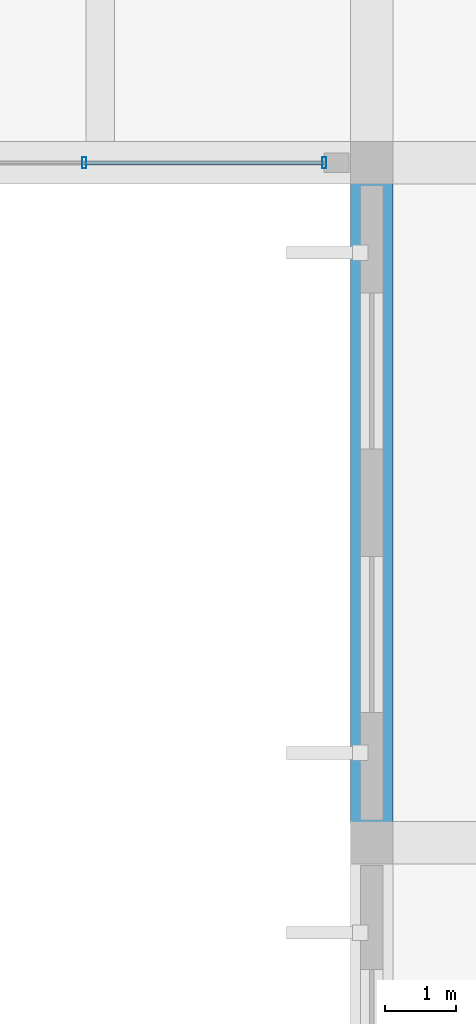
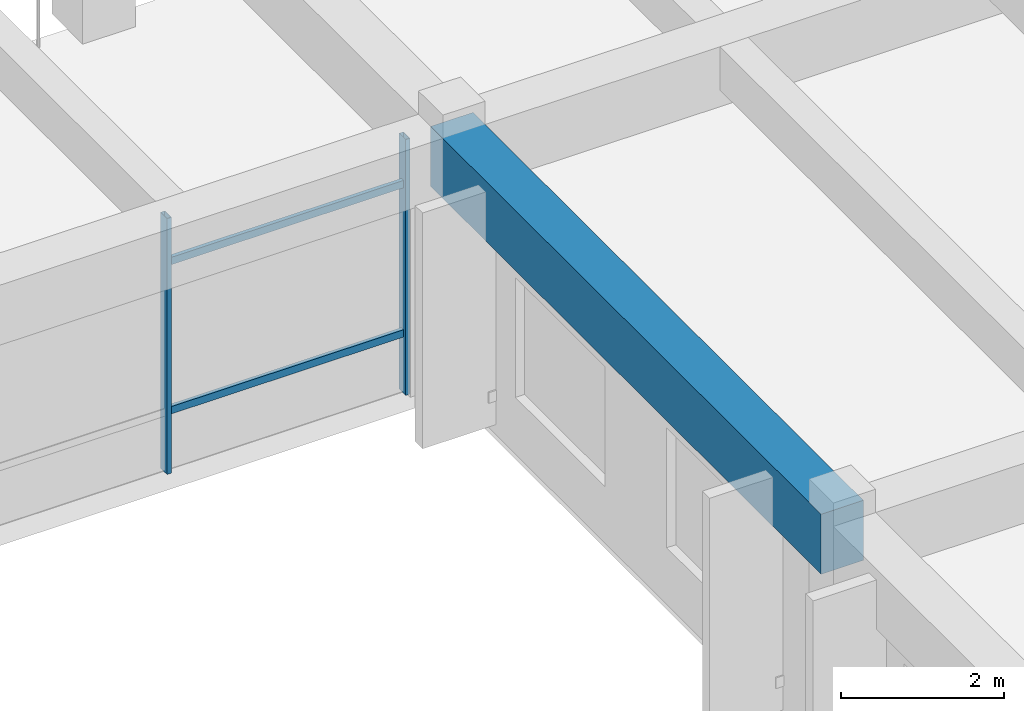
# One storey, part 51 of 98: 4 members, 1 beam, 1 element without a shape of its own.
"""IFC4 building model written with IfcOpenShell, lengths in metres."""

from ifc_helpers import new_model, si_unit, direction, frame, origin, origin_2d, place, context, subcontext, project, spatial, rectangle, hollow_rectangle, extrude, material, material_profile, profile_set, type_object, element, aggregate, save


model = new_model("IFC4")

# Units and contexts
model_context = context("Model", 3, precision=1e-05, world=origin(), true_north=direction((0.0, 1.0)))
body_context = subcontext(model_context, "Body", "Model", "MODEL_VIEW")
ifc_project = project(units=[si_unit("LENGTHUNIT", "METRE"), si_unit("AREAUNIT", "SQUARE_METRE"), si_unit("VOLUMEUNIT", "CUBIC_METRE"), si_unit("PLANEANGLEUNIT", "RADIAN"), si_unit("MASSUNIT", "GRAM", prefix="KILO")], contexts=[model_context])

# Site, building, storey
site_placement = place(None, origin())
site = spatial("IfcSite", under=ifc_project, at=site_placement, CompositionType="ELEMENT")
building_placement = place(site_placement, origin())
building = spatial("IfcBuilding", under=site, at=building_placement, Name="Ologun Quay Terminus", CompositionType="ELEMENT")
storey_placement = place(building_placement, frame((0.0, 0.0, 4.199951171875)))
storey = spatial("IfcBuildingStorey", under=building, at=storey_placement, Name="L01", CompositionType="ELEMENT", Elevation=4.199951171875)

# Curtain wall, members
ifc_material_1 = material(Name="Aluminium 6063-T6", Category="aluminium")
curtain_wall_type = type_object("IfcCurtainWallType", Name="Forecourt Mezzanine Curtain Wall 10700x3850", PredefinedType="USERDEFINED", material=ifc_material_1)
curtain_wall_placement = place(storey_placement, origin())
curtain_wall = element("IfcCurtainWall", 1, at=curtain_wall_placement, inside=storey, type_object=curtain_wall_type, Name="CW-04 Curtain Wall CW-L01-019", ObjectType="UNITISED CURTAIN WALL", PredefinedType="USERDEFINED")
ifc_material_2 = material(Name="Aluminium 6063-T6", Category="aluminium")
ifc_material_profile_1 = material_profile(ifc_material_2, hollow_rectangle(XDim=0.06005859375, YDim=0.159912109375, WallThickness=0.00390625, at=origin_2d()), Name="ALU 160x60x4")
ifc_profile_set_1 = profile_set([ifc_material_profile_1], Name="Aluminium 6063-T6")
member_type_1 = type_object("IfcMemberType", Name="Curtain Wall Standard Mullion 160x65", PredefinedType="MULLION", material=ifc_profile_set_1)
member_1_placement = place(storey_placement, frame((168.443359375, 27.199951171875, 0.0), z_axis=(0.0, 0.0, 1.0), x_axis=(1.0, 0.0, 0.0)))
member_1 = element("IfcMember", 2, at=member_1_placement, type_object=member_type_1, Name="CW-L01-019 Mullion 3", PredefinedType="MULLION", context=body_context, shape_type="SweptSolid", body=[
    extrude(hollow_rectangle(XDim=0.06005859375, YDim=0.159912109375, WallThickness=0.00390625, at=origin_2d()), origin(), (0.0, 0.0, 1.0), 3.840087890625),
])
member_2_placement = place(storey_placement, frame((171.830078125, 27.199951171875, 0.0), z_axis=(0.0, 0.0, 1.0), x_axis=(1.0, 0.0, 0.0)))
member_2 = element("IfcMember", 3, at=member_2_placement, type_object=member_type_1, Name="CW-L01-019 Mullion 4", PredefinedType="MULLION", context=body_context, shape_type="SweptSolid", body=[
    extrude(hollow_rectangle(XDim=0.06005859375, YDim=0.159912109375, WallThickness=0.00390625, at=origin_2d()), origin(), (0.0, 0.0, 1.0), 3.840087890625),
])
ifc_material_3 = material(Name="Aluminium 6063-T6", Category="aluminium")
ifc_material_profile_2 = material_profile(ifc_material_3, hollow_rectangle(XDim=0.054931640625, YDim=0.110107421875, WallThickness=0.00390625, at=origin_2d()), Name="ALU 110x55x4")
ifc_profile_set_2 = profile_set([ifc_material_profile_2], Name="Aluminium 6063-T6")
member_type_2 = type_object("IfcMemberType", Name="Curtain Wall Standard Transom 110x55", PredefinedType="USERDEFINED", material=ifc_profile_set_2)
member_3_placement = place(storey_placement, frame((168.443359375, 27.199951171875, 0.900146484375), z_axis=(1.0, 0.0, 0.0), x_axis=(0.0, 1.0, 0.0)))
member_3 = element("IfcMember", 4, at=member_3_placement, type_object=member_type_2, Name="CW-L01-019 Transom B3-1", ObjectType="TRANSOM", PredefinedType="USERDEFINED", context=body_context, shape_type="SweptSolid", body=[
    extrude(hollow_rectangle(XDim=0.054931640625, YDim=0.110107421875, WallThickness=0.00390625, at=origin_2d()), origin(), (0.0, 0.0, 1.0), 3.38671875),
])
member_4_placement = place(storey_placement, frame((168.443359375, 27.199951171875, 3.14013671875), z_axis=(1.0, 0.0, 0.0), x_axis=(0.0, 1.0, 0.0)))
member_4 = element("IfcMember", 5, at=member_4_placement, type_object=member_type_2, Name="CW-L01-019 Transom B3-2", ObjectType="TRANSOM", PredefinedType="USERDEFINED", context=body_context, shape_type="SweptSolid", body=[
    extrude(hollow_rectangle(XDim=0.054931640625, YDim=0.110107421875, WallThickness=0.00390625, at=origin_2d()), origin(), (0.0, 0.0, 1.0), 3.38671875),
])
aggregate(curtain_wall, [member_1, member_2, member_3, member_4])

# Beam
ifc_material_4 = material(Name="Concrete C40/50", Category="concrete")
ifc_material_profile_3 = material_profile(ifc_material_4, rectangle(XDim=0.60009765625, YDim=0.89990234375, at=origin_2d()), Name="RC 600x900")
ifc_profile_set_3 = profile_set([ifc_material_profile_3], Name="Concrete C40/50")
beam_type = type_object("IfcBeamType", Name="Station Frame Girder 600x900", PredefinedType="BEAM", material=ifc_profile_set_3)
beam_placement = place(storey_placement, frame((172.5, 17.60009765625, 3.400146484375), z_axis=(0.0, 1.0, 0.0), x_axis=(-1.0, 0.0, 0.0)))
element("IfcBeam", 6, at=beam_placement, inside=storey, type_object=beam_type, Name="B3 Beam 16/C L01", PredefinedType="BEAM", context=body_context, shape_type="SweptSolid", body=[
    extrude(rectangle(XDim=0.60009765625, YDim=0.89990234375, at=origin_2d()), origin(), (0.0, 0.0, 1.0), 9.599853515625),
])

save(model, "model.ifc")
